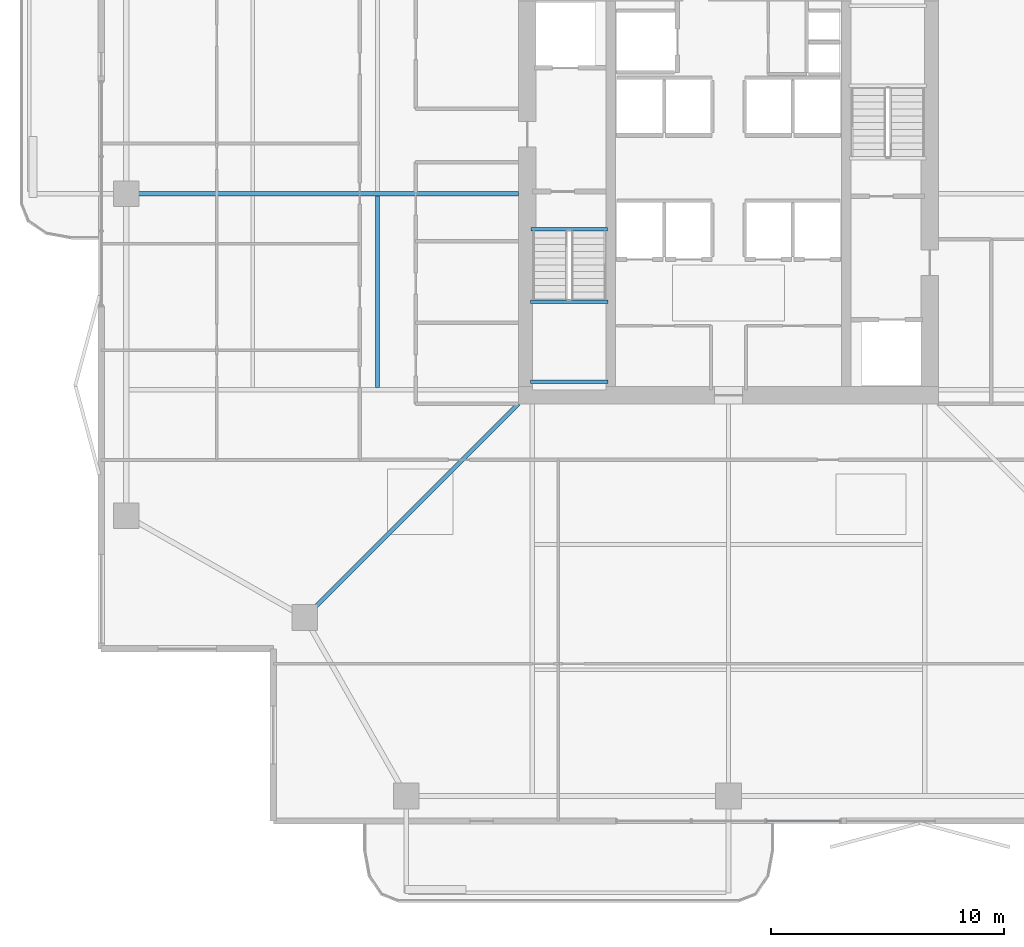
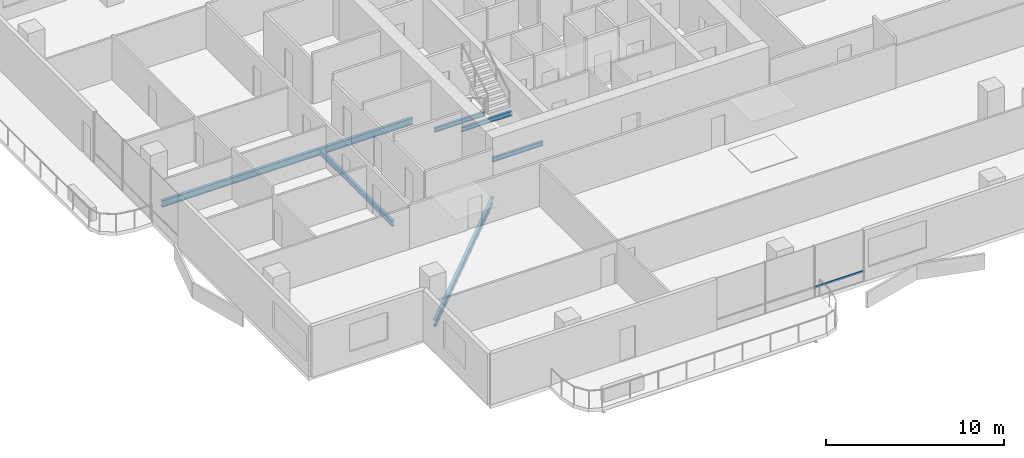
# One storey, part 5 of 23: 6 beams, 1 member, 1 element without a shape of its own.
"""IFC4 building model written with IfcOpenShell, lengths in metres."""

from ifc_helpers import new_model, si_unit, direction, frame, origin, origin_2d, place, context, subcontext, project, spatial, hollow_rectangle, i_section, extrude, material, layer, layer_set, material_profile, profile_set, type_object, element, aggregate, save


model = new_model("IFC4")

# Units and contexts
model_context = context("Model", 3, precision=1e-05, world=origin(), true_north=direction((0.0, 1.0)))
body_context = subcontext(model_context, "Body", "Model", "MODEL_VIEW")
ifc_project = project(units=[si_unit("LENGTHUNIT", "METRE"), si_unit("AREAUNIT", "SQUARE_METRE"), si_unit("VOLUMEUNIT", "CUBIC_METRE"), si_unit("PLANEANGLEUNIT", "RADIAN"), si_unit("MASSUNIT", "GRAM", prefix="KILO")], contexts=[model_context])

# Site, building, storey
site_placement = place(None, origin())
site = spatial("IfcSite", under=ifc_project, at=site_placement, CompositionType="ELEMENT")
building_placement = place(site_placement, origin())
building = spatial("IfcBuilding", under=site, at=building_placement, Name="Belovzor Exchange Tower", CompositionType="ELEMENT")
storey_placement = place(building_placement, frame((0.0, 0.0, 229.949951171875)))
storey = spatial("IfcBuildingStorey", under=building, at=storey_placement, Name="L57", CompositionType="ELEMENT", Elevation=229.949951171875)

# Beams
ifc_material_1 = material(Name="Steel S355", Category="steel")
ifc_material_profile_1 = material_profile(ifc_material_1, i_section(OverallWidth=0.169921875, OverallDepth=0.360107421875, WebThickness=0.008056640625, FlangeThickness=0.0126953125, at=origin_2d()))
ifc_profile_set_1 = profile_set([ifc_material_profile_1], Name="Steel S355")
beam_type_1 = type_object("IfcBeamType", Name="Secondary Infill Floor Joist IPE 360", PredefinedType="BEAM", material=ifc_profile_set_1)
beam_1_placement = place(storey_placement, frame((13.77197265625, 20.4951171875, -0.429931640625), z_axis=(0.0, 1.0, 0.0), x_axis=(-1.0, 0.0, 0.0)))
element("IfcBeam", 1, at=beam_1_placement, inside=storey, type_object=beam_type_1, Name="FJ-360 Secondary Infill Floor Joist IPE 360", PredefinedType="BEAM", context=body_context, shape_type="SweptSolid", body=[
    extrude(i_section(OverallWidth=0.169921875, OverallDepth=0.360107421875, WebThickness=0.008056640625, FlangeThickness=0.0126953125, at=origin_2d()), origin(), (0.0, 0.0, 1.0), 8.2099609375),
])
ifc_material_2 = material(Name="Steel S355", Category="steel")
ifc_material_profile_2 = material_profile(ifc_material_2, i_section(OverallWidth=0.14990234375, OverallDepth=0.300048828125, WebThickness=0.007080078125, FlangeThickness=0.0107421875, at=origin_2d()))
ifc_profile_set_2 = profile_set([ifc_material_profile_2], Name="Steel S355")
beam_type_2 = type_object("IfcBeamType", Name="Secondary Trim Floor Joist IPE 300", PredefinedType="BEAM", material=ifc_profile_set_2)
for number, where, z_axis, x_axis, name in (
    (2, (20.320068359375, 24.179931640625, 1.525146484375), (1.0, 0.0, 0.0), (0.0, 1.0, 0.0), "FJ-300 Secondary Trim Floor Joist IPE 300"),
    (3, (20.320068359375, 20.75, 1.525146484375), (1.0, 0.0, 0.0), (0.0, 1.0, 0.0), "FJ-300 Secondary Trim Floor Joist IPE 300"),
):
    element("IfcBeam", number, at=place(storey_placement, frame(where, z_axis=z_axis, x_axis=x_axis)), inside=storey, type_object=beam_type_2, Name=name, PredefinedType="BEAM", context=body_context, shape_type="SweptSolid", body=[
        extrude(i_section(OverallWidth=0.14990234375, OverallDepth=0.300048828125, WebThickness=0.007080078125, FlangeThickness=0.0107421875, at=origin_2d()), origin(), (0.0, 0.0, 1.0), 3.309814453125),
    ])
beam_2_placement = place(storey_placement, frame((20.340087890625, 27.280029296875, -0.39990234375), z_axis=(1.0, 0.0, 0.0), x_axis=(0.0, 1.0, 0.0)))
element("IfcBeam", 4, at=beam_2_placement, inside=storey, type_object=beam_type_2, Name="FJ-300 Secondary Trim Floor Joist IPE 300", PredefinedType="BEAM", context=body_context, shape_type="SweptSolid", body=[
    extrude(i_section(OverallWidth=0.14990234375, OverallDepth=0.300048828125, WebThickness=0.007080078125, FlangeThickness=0.0107421875, at=origin_2d()), origin(), (0.0, 0.0, 1.0), 3.27001953125),
])

# Curtain wall, member
ifc_material_3 = material(Name="Anodised Aluminium Framing", Category="aluminium")
ifc_layer = layer(ifc_material_3, 0.179931640625)
ifc_layer_set = layer_set([ifc_layer], Name="Anodised Aluminium Framing")
curtain_wall_type = type_object("IfcCurtainWallType", Name="Recessed Loggia Low-Iron Triple-Glazed Curtain Wall", PredefinedType="NOTDEFINED", material=ifc_layer_set)
curtain_wall_placement = place(storey_placement, origin())
curtain_wall = element("IfcCurtainWall", 5, at=curtain_wall_placement, inside=storey, type_object=curtain_wall_type, Name="CW3 Recessed Loggia Low-Iron Triple-Glazed Curtain Wall L57", PredefinedType="NOTDEFINED")
ifc_material_4 = material(Name="Steel S355", Category="steel")
ifc_material_profile_3 = material_profile(ifc_material_4, hollow_rectangle(XDim=0.06005859375, YDim=0.14990234375, WallThickness=0.00390625, at=origin_2d()))
ifc_profile_set_3 = profile_set([ifc_material_profile_3], Name="Steel S355")
member_type = type_object("IfcMemberType", Name="Thermally Broken Curtain Wall Transom 150x60", PredefinedType="USERDEFINED", material=ifc_profile_set_3)
member_placement = place(storey_placement, frame((33.592041015625, 1.929931640625, 0.630126953125), z_axis=(-1.0, 0.0, 0.0), x_axis=(0.0, -1.0, 0.0)))
member = element("IfcMember", 6, at=member_placement, type_object=member_type, Name="CW-T150 Curtain Wall Transom 1", ObjectType="TRANSOM", PredefinedType="USERDEFINED", context=body_context, shape_type="SweptSolid", body=[
    extrude(hollow_rectangle(XDim=0.06005859375, YDim=0.14990234375, WallThickness=0.00390625, at=origin_2d()), origin(), (0.0, 0.0, 1.0), 3.18408203125),
])
aggregate(curtain_wall, [member])

# Beams
ifc_material_5 = material(Name="Steel S355", Category="steel")
ifc_material_profile_4 = material_profile(ifc_material_5, i_section(OverallWidth=0.18994140625, OverallDepth=0.449951171875, WebThickness=0.009521484375, FlangeThickness=0.0146484375, at=origin_2d()))
ifc_profile_set_4 = profile_set([ifc_material_profile_4], Name="Steel S355")
beam_type_3 = type_object("IfcBeamType", Name="Zone 2-4 Radial Composite Floor Beam IPE 450", PredefinedType="BEAM", material=ifc_profile_set_4)
beam_3_placement = place(storey_placement, frame((19.800048828125, 28.800048828125, -0.474853515625), z_axis=(-1.0, 0.0, 0.0), x_axis=(0.0, -1.0, 0.0)))
element("IfcBeam", 7, at=beam_3_placement, inside=storey, type_object=beam_type_3, Name="FB-450 Zone 2-4 Radial Composite Floor Beam IPE 450", PredefinedType="BEAM", context=body_context, shape_type="SweptSolid", body=[
    extrude(i_section(OverallWidth=0.18994140625, OverallDepth=0.449951171875, WebThickness=0.009521484375, FlangeThickness=0.0146484375, at=origin_2d()), origin(), (0.0, 0.0, 1.0), 16.316162109375),
])
beam_4_placement = place(storey_placement, frame((19.800048828125, 19.800048828125, -0.474853515625), z_axis=(-0.707106781187, -0.707106781187, 0.0), x_axis=(0.707106781187, -0.707106781187, 0.0)))
element("IfcBeam", 8, at=beam_4_placement, inside=storey, type_object=beam_type_3, Name="FB-450 Zone 2-4 Radial Composite Floor Beam IPE 450", PredefinedType="BEAM", context=body_context, shape_type="SweptSolid", body=[
    extrude(i_section(OverallWidth=0.18994140625, OverallDepth=0.449951171875, WebThickness=0.009521484375, FlangeThickness=0.0146484375, at=origin_2d()), origin(), (0.0, 0.0, 1.0), 12.551025390625),
])

save(model, "model.ifc")
